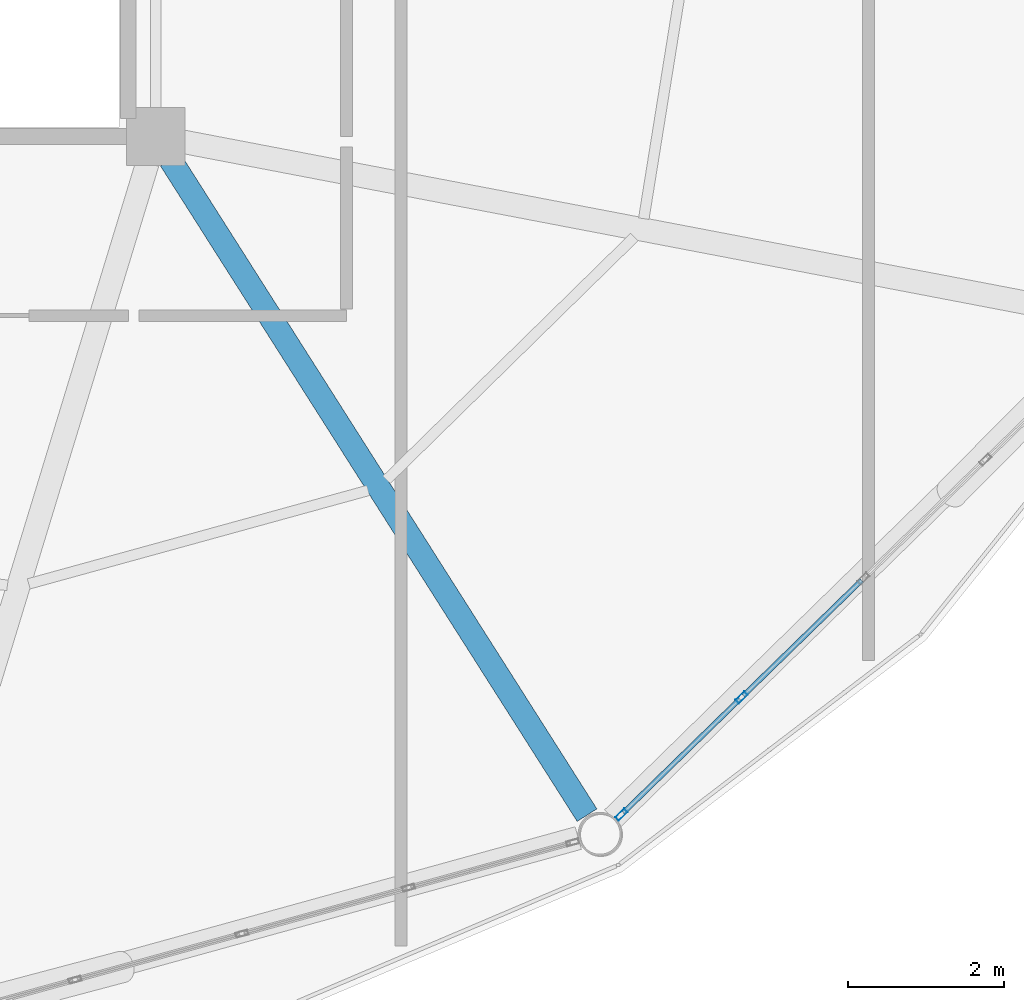
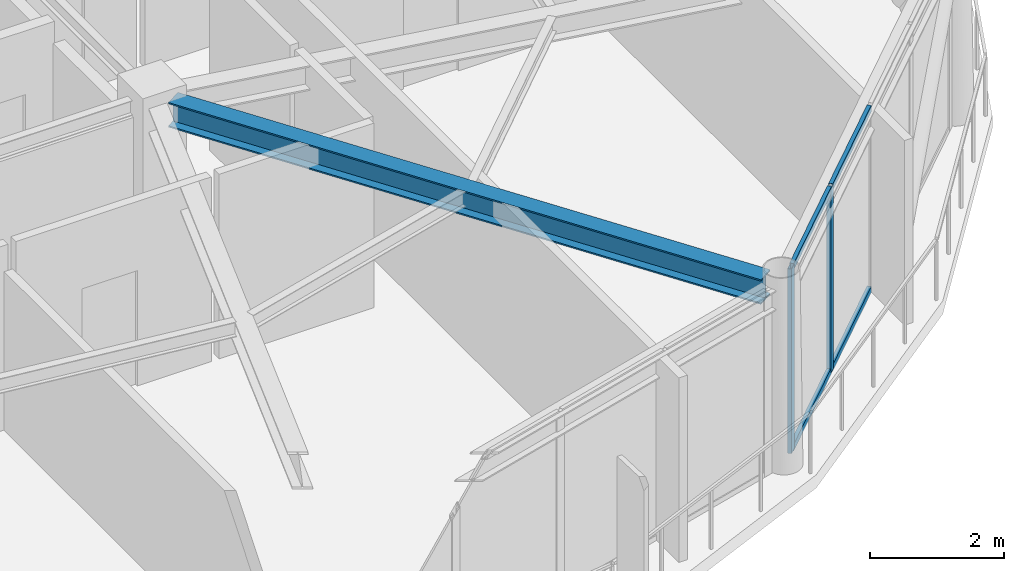
# One storey, part 8 of 27: 6 members, 1 beam, 1 element without a shape of its own.
"""IFC4 building model written with IfcOpenShell, lengths in metres."""

from ifc_helpers import new_model, si_unit, direction, frame, origin, origin_2d, place, context, subcontext, project, spatial, hollow_rectangle, i_section, extrude, material, layer, layer_set, material_profile, profile_set, type_object, element, aggregate, save


model = new_model("IFC4")

# Units and contexts
model_context = context("Model", 3, precision=1e-05, world=origin(), true_north=direction((0.0, 1.0)))
body_context = subcontext(model_context, "Body", "Model", "MODEL_VIEW")
ifc_project = project(units=[si_unit("LENGTHUNIT", "METRE"), si_unit("AREAUNIT", "SQUARE_METRE"), si_unit("VOLUMEUNIT", "CUBIC_METRE"), si_unit("PLANEANGLEUNIT", "RADIAN"), si_unit("MASSUNIT", "GRAM", prefix="KILO")], contexts=[model_context])

# Site, building, storey
site_placement = place(None, origin())
site = spatial("IfcSite", under=ifc_project, at=site_placement, CompositionType="ELEMENT")
building_placement = place(site_placement, origin())
building = spatial("IfcBuilding", under=site, at=building_placement, Name="Varnakorn Sky Granary", CompositionType="ELEMENT")
storey_placement = place(building_placement, frame((0.0, 0.0, 245.39990234375)))
storey = spatial("IfcBuildingStorey", under=building, at=storey_placement, Name="L62", CompositionType="ELEMENT", Elevation=245.39990234375)

# Beam
ifc_material_1 = material(Name="Steel S355JR", Category="steel")
ifc_material_profile_1 = material_profile(ifc_material_1, i_section(OverallWidth=0.300048828125, OverallDepth=0.449951171875, WebThickness=0.013916015625, FlangeThickness=0.02587890625, at=origin_2d()), Name="HE 450 B")
ifc_profile_set_1 = profile_set([ifc_material_profile_1], Name="Steel S355JR")
beam_type = type_object("IfcBeamType", Name="BM-RAD-Z5", PredefinedType="BEAM", material=ifc_profile_set_1)
beam_placement = place(storey_placement, frame((8.54052734375, -6.899658203125, 3.135009765625), z_axis=(0.536493491291, -0.843904457745, 0.0), x_axis=(0.843904457745, 0.536493491291, 0.0)))
element("IfcBeam", 1, at=beam_placement, inside=storey, type_object=beam_type, Name="Radial Floor Girder RG11 L62", PredefinedType="BEAM", context=body_context, shape_type="SweptSolid", body=[
    extrude(i_section(OverallWidth=0.300048828125, OverallDepth=0.449951171875, WebThickness=0.013916015625, FlangeThickness=0.02587890625, at=origin_2d()), origin(), (0.0, 0.0, 1.0), 9.9677734375),
])

# Curtain wall, members
ifc_material_2 = material(Name="Anodised Bronze Aluminium Alloy 6063-T6", Category="aluminium")
ifc_layer = layer(ifc_material_2, 0.159912109375, Name="Anodised Bronze Aluminium Alloy 6063-T6")
ifc_layer_set = layer_set([ifc_layer], Name="Anodised Bronze Aluminium Alloy 6063-T6")
curtain_wall_type = type_object("IfcCurtainWallType", Name="CW-OFF-1", PredefinedType="USERDEFINED", material=ifc_layer_set)
curtain_wall_placement = place(storey_placement, origin())
curtain_wall = element("IfcCurtainWall", 2, at=curtain_wall_placement, inside=storey, type_object=curtain_wall_type, Name="Unitised Curtain Wall CW6 CW-L62-B11", ObjectType="CURTAIN WALL", PredefinedType="USERDEFINED")
ifc_material_profile_2 = material_profile(ifc_material_2, hollow_rectangle(XDim=0.06494140625, YDim=0.159912109375, WallThickness=0.00341796875, at=origin_2d()), Name="ALU MULL 65x160")
ifc_profile_set_2 = profile_set([ifc_material_profile_2], Name="Anodised Bronze Aluminium Alloy 6063-T6")
member_type_1 = type_object("IfcMemberType", Name="CW-OFF-1-MULL", PredefinedType="MULLION", material=ifc_profile_set_2)
member_1_placement = place(storey_placement, frame((15.871826171875, -13.80029296875, 0.0), z_axis=(0.0, 0.0, 1.0), x_axis=(0.698180615076, -0.715921663823, 0.0)))
member_1 = element("IfcMember", 3, at=member_1_placement, type_object=member_type_1, Name="CW6 mullion 4", PredefinedType="MULLION", context=body_context, shape_type="SweptSolid", body=[
    extrude(hollow_rectangle(XDim=0.06494140625, YDim=0.159912109375, WallThickness=0.00341796875, at=origin_2d()), origin(), (0.0, 0.0, 1.0), 3.360107421875),
])
member_2_placement = place(storey_placement, frame((14.330322265625, -15.3037109375, 0.0), z_axis=(0.0, 0.0, 1.0), x_axis=(0.698180615076, -0.715921663823, 0.0)))
member_2 = element("IfcMember", 4, at=member_2_placement, type_object=member_type_1, Name="CW6 mullion 5", PredefinedType="MULLION", context=body_context, shape_type="SweptSolid", body=[
    extrude(hollow_rectangle(XDim=0.06494140625, YDim=0.159912109375, WallThickness=0.00341796875, at=origin_2d()), origin(), (0.0, 0.0, 1.0), 3.360107421875),
])
ifc_material_profile_3 = material_profile(ifc_material_2, hollow_rectangle(XDim=0.06494140625, YDim=0.1201171875, WallThickness=0.00341796875, at=origin_2d()), Name="ALU TRAN 65x120")
ifc_profile_set_3 = profile_set([ifc_material_profile_3], Name="Anodised Bronze Aluminium Alloy 6063-T6")
member_type_2 = type_object("IfcMemberType", Name="CW-OFF-1-TRAN", PredefinedType="USERDEFINED", material=ifc_profile_set_3)
member_3_placement = place(storey_placement, frame((17.413330078125, -12.297119140625, 0.03271484375), z_axis=(-0.715972805246, -0.698128170287, 0.0), x_axis=(0.698128170287, -0.715972805246, 0.0)))
member_3 = element("IfcMember", 5, at=member_3_placement, type_object=member_type_2, Name="CW6 transom 3.1", ObjectType="TRANSOM", PredefinedType="USERDEFINED", context=body_context, shape_type="SweptSolid", body=[
    extrude(hollow_rectangle(XDim=0.06494140625, YDim=0.1201171875, WallThickness=0.00341796875, at=origin_2d()), origin(), (0.0, 0.0, 1.0), 2.12060546875),
])
member_4_placement = place(storey_placement, frame((17.413330078125, -12.297119140625, 3.32763671875), z_axis=(-0.715972805246, -0.698128170287, 0.0), x_axis=(0.698128170287, -0.715972805246, 0.0)))
member_4 = element("IfcMember", 6, at=member_4_placement, type_object=member_type_2, Name="CW6 transom 3.2", ObjectType="TRANSOM", PredefinedType="USERDEFINED", context=body_context, shape_type="SweptSolid", body=[
    extrude(hollow_rectangle(XDim=0.06494140625, YDim=0.1201171875, WallThickness=0.00341796875, at=origin_2d()), origin(), (0.0, 0.0, 1.0), 2.12060546875),
])
member_5_placement = place(storey_placement, frame((15.8486328125, -13.822998046875, 0.03271484375), z_axis=(-0.715935858571, -0.698166059338, 0.0), x_axis=(0.698166059338, -0.715935858571, 0.0)))
member_5 = element("IfcMember", 7, at=member_5_placement, type_object=member_type_2, Name="CW6 transom 4.1", ObjectType="TRANSOM", PredefinedType="USERDEFINED", context=body_context, shape_type="SweptSolid", body=[
    extrude(hollow_rectangle(XDim=0.06494140625, YDim=0.1201171875, WallThickness=0.00341796875, at=origin_2d()), origin(), (0.0, 0.0, 1.0), 2.08837890625),
])
member_6_placement = place(storey_placement, frame((15.8486328125, -13.822998046875, 3.32763671875), z_axis=(-0.715935858571, -0.698166059338, 0.0), x_axis=(0.698166059338, -0.715935858571, 0.0)))
member_6 = element("IfcMember", 8, at=member_6_placement, type_object=member_type_2, Name="CW6 transom 4.2", ObjectType="TRANSOM", PredefinedType="USERDEFINED", context=body_context, shape_type="SweptSolid", body=[
    extrude(hollow_rectangle(XDim=0.06494140625, YDim=0.1201171875, WallThickness=0.00341796875, at=origin_2d()), origin(), (0.0, 0.0, 1.0), 2.08837890625),
])
aggregate(curtain_wall, [member_1, member_2, member_3, member_4, member_5, member_6])

save(model, "model.ifc")
